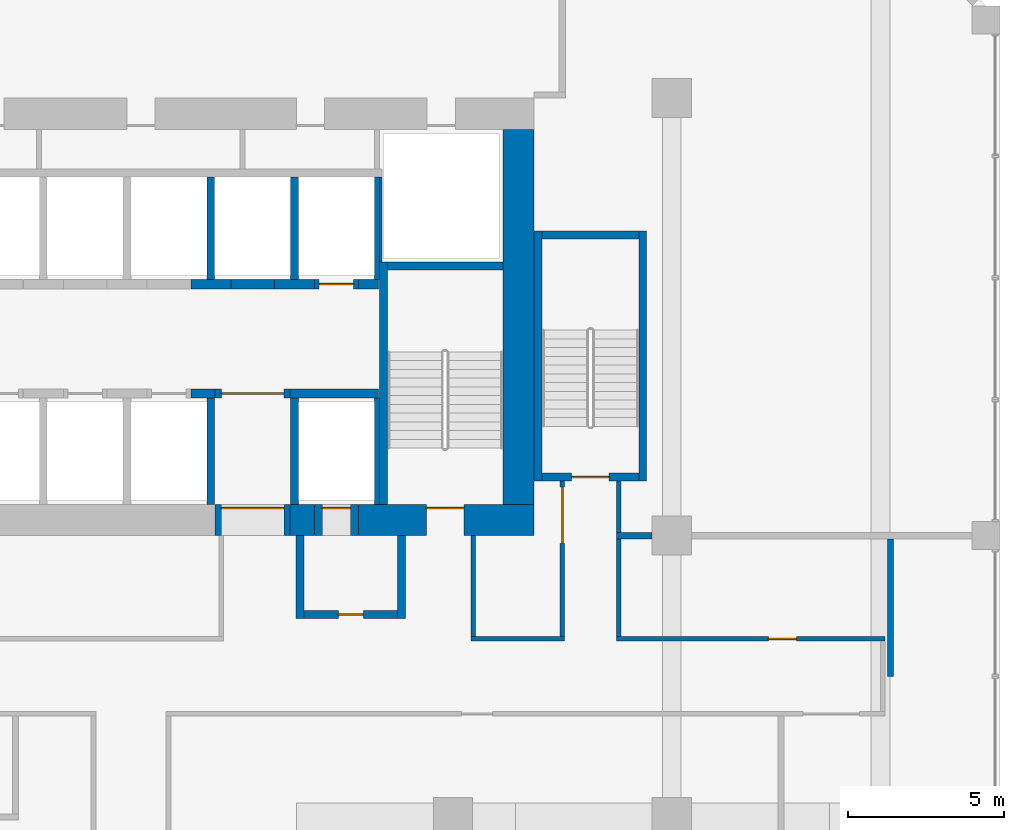
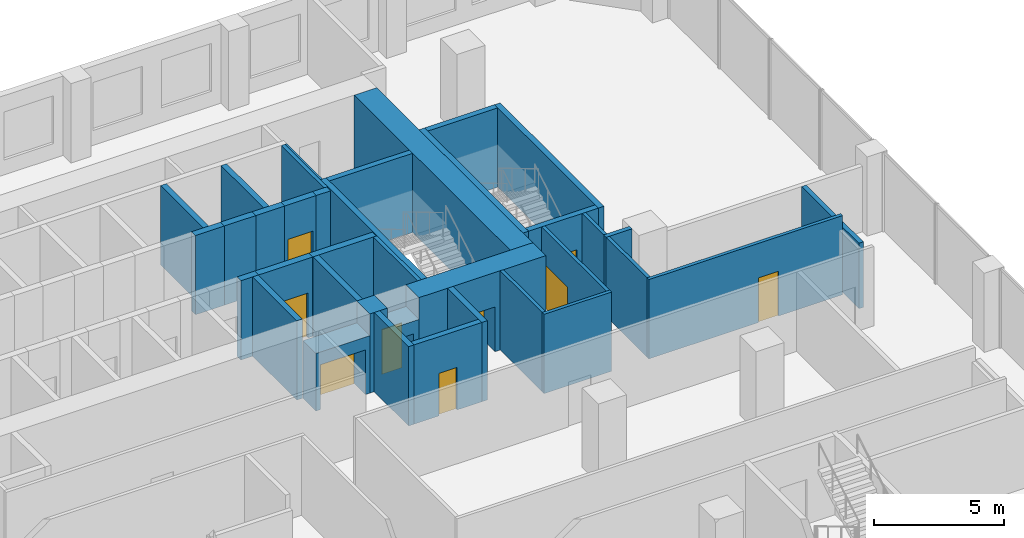
# One storey, part 16 of 20: 37 walls, 9 doors, 9 openings.
"""IFC4 building model written with IfcOpenShell, lengths in metres."""

from ifc_helpers import new_model, si_unit, direction, frame, frame_2d, origin, place, context, subcontext, project, spatial, rectangle, extrude, source, transform, mapped, material, layer, layer_set, type_object, element, fill, save


model = new_model("IFC4")

# Units and contexts
model_context = context("Model", 3, precision=1e-05, world=origin(), true_north=direction((0.0, 1.0)))
body_context = subcontext(model_context, "Body", "Model", "MODEL_VIEW")
ifc_project = project(units=[si_unit("LENGTHUNIT", "METRE"), si_unit("AREAUNIT", "SQUARE_METRE"), si_unit("VOLUMEUNIT", "CUBIC_METRE"), si_unit("PLANEANGLEUNIT", "RADIAN"), si_unit("MASSUNIT", "GRAM", prefix="KILO")], contexts=[model_context])

# Site, building, storey
site_placement = place(None, origin())
site = spatial("IfcSite", under=ifc_project, at=site_placement, CompositionType="ELEMENT")
building_placement = place(site_placement, origin())
building = spatial("IfcBuilding", under=site, at=building_placement, Name="Kilnfold Tower and Market Hall", CompositionType="ELEMENT")
storey_placement = place(building_placement, frame((0.0, 0.0, 63.199951171875)))
storey = spatial("IfcBuildingStorey", under=building, at=storey_placement, Name="L14", CompositionType="ELEMENT", Elevation=63.199951171875)

# Walls
ifc_material_1 = material(Name="Gypsum board on steel studs", Category="steel")
ifc_layer_1 = layer(ifc_material_1, 0.14990234375)
ifc_layer_set_1 = layer_set([ifc_layer_1], Name="Gypsum board on steel studs")
wall_type_1 = type_object("IfcWallType", Name="WALL CORRIDOR 150", PredefinedType="PARTITIONING", material=ifc_layer_set_1)
wall_1_placement = place(storey_placement, frame((16.14990234375, 4.77490234375, 0.0), z_axis=(0.0, 0.0, 1.0), x_axis=(0.0, 1.0, 0.0)))
element("IfcWall", 1, at=wall_1_placement, inside=storey, type_object=wall_type_1, Name="Partition LY12.21", PredefinedType="PARTITIONING", context=body_context, shape_type="SweptSolid", body=[
    extrude(rectangle(XDim=3.22509765625, YDim=0.14990234375, at=frame_2d((1.612548828125, 0.0))), origin(), (0.0, 0.0, 1.0), 3.719970703125),
])
wall_2_placement = place(storey_placement, frame((16.074951171875, 4.699951171875, 0.0), z_axis=(0.0, 0.0, 1.0), x_axis=(1.0, 0.0, 0.0)))
element("IfcWall", 2, at=wall_2_placement, inside=storey, type_object=wall_type_1, Name="Partition LY12.22", PredefinedType="PARTITIONING", context=body_context, shape_type="SweptSolid", body=[
    extrude(rectangle(XDim=3.0, YDim=0.14990234375, at=frame_2d((1.5, 0.0))), origin(), (0.0, 0.0, 1.0), 3.719970703125),
])

# Wall, opening, door
wall_3_placement = place(storey_placement, frame((19.0, 9.75, 0.0), z_axis=(0.0, 0.0, 1.0), x_axis=(0.0, -1.0, 0.0)))
wall_3 = element("IfcWall", 3, at=wall_3_placement, inside=storey, type_object=wall_type_1, Name="Partition LY12.23", PredefinedType="PARTITIONING", context=body_context, shape_type="SweptSolid", body=[
    extrude(rectangle(XDim=4.97509765625, YDim=0.14990234375, at=frame_2d((2.487548828125, 0.0))), origin(), (0.0, 0.0, 1.0), 3.719970703125),
])
opening_1_placement = place(wall_3_placement, frame((0.199951171875, 0.0, 0.0)))
opening_1 = element("IfcOpeningElement", 4, at=opening_1_placement, cuts=wall_3, Name="Opening D5", PredefinedType="OPENING", context=body_context, shape_type="SweptSolid", body=[
    extrude(rectangle(XDim=1.800048828125, YDim=2.10009765625, at=frame_2d((0.89990234375, 1.050048828125))), frame((0.0, 0.0849609375, 0.0), z_axis=(0.0, -1.0, 0.0), x_axis=(1.0, 0.0, 0.0)), (0.0, 0.0, 1.0), 0.169921875),
])
ifc_material_2 = material(Name="Timber veneer door leaf in steel frame", Category="steel")
door_type_1 = type_object("IfcDoorType", Name="DOOR DOUBLE 1800 X2100", OperationType="NOTDEFINED", PredefinedType="DOOR", material=ifc_material_2)
door_1_placement = place(opening_1_placement, origin())
door_1 = element("IfcDoor", 5, at=door_1_placement, inside=storey, type_object=door_type_1, Name="Door D5", OperationType="DOUBLE_DOOR_SINGLE_SWING", OverallHeight=2.10009765625, OverallWidth=1.800048828125, PredefinedType="DOOR", context=body_context, shape_type="SweptSolid", body=[
    extrude(rectangle(XDim=1.800048828125, YDim=2.10009765625, at=frame_2d((0.89990234375, 1.050048828125))), frame((0.0, 0.02490234375, 0.0), z_axis=(0.0, -1.0, 0.0), x_axis=(1.0, 0.0, 0.0)), (0.0, 0.0, 1.0), 0.050048828125),
])
fill(opening_1, door_1)

# Walls
wall_4_placement = place(storey_placement, frame((20.800048828125, 8.090087890625, 0.0), z_axis=(0.0, 0.0, 1.0), x_axis=(0.0, 1.0, 0.0)))
element("IfcWall", 6, at=wall_4_placement, inside=storey, type_object=wall_type_1, Name="Partition LY12.24", PredefinedType="PARTITIONING", context=body_context, shape_type="SweptSolid", body=[
    extrude(rectangle(XDim=1.659912109375, YDim=0.14990234375, at=frame_2d((0.830078125, 0.0))), origin(), (0.0, 0.0, 1.0), 3.719970703125),
])
wall_5_placement = place(storey_placement, frame((20.800048828125, 4.77490234375, 0.0), z_axis=(0.0, 0.0, 1.0), x_axis=(0.0, 1.0, 0.0)))
element("IfcWall", 7, at=wall_5_placement, inside=storey, type_object=wall_type_1, Name="Partition LY12.25", PredefinedType="PARTITIONING", context=body_context, shape_type="SweptSolid", body=[
    extrude(rectangle(XDim=3.135009765625, YDim=0.14990234375, at=frame_2d((1.5673828125, 0.0))), origin(), (0.0, 0.0, 1.0), 3.719970703125),
])

# Wall, opening, door
wall_6_placement = place(storey_placement, frame((20.72509765625, 4.699951171875, 0.0), z_axis=(0.0, 0.0, 1.0), x_axis=(1.0, 0.0, 0.0)))
wall_6 = element("IfcWall", 8, at=wall_6_placement, inside=storey, type_object=wall_type_1, Name="Partition LY12.26", PredefinedType="PARTITIONING", context=body_context, shape_type="SweptSolid", body=[
    extrude(rectangle(XDim=8.599853515625, YDim=0.14990234375, at=frame_2d((4.2998046875, 0.0))), origin(), (0.0, 0.0, 1.0), 3.719970703125),
])
opening_2_placement = place(wall_6_placement, frame((4.864013671875, 0.0, 0.0)))
opening_2 = element("IfcOpeningElement", 9, at=opening_2_placement, cuts=wall_6, Name="Opening D3", PredefinedType="OPENING", context=body_context, shape_type="SweptSolid", body=[
    extrude(rectangle(XDim=0.89990234375, YDim=2.10009765625, at=frame_2d((0.449951171875, 1.050048828125))), frame((0.0, 0.0849609375, 0.0), z_axis=(0.0, -1.0, 0.0), x_axis=(1.0, 0.0, 0.0)), (0.0, 0.0, 1.0), 0.169921875),
])
ifc_material_3 = material(Name="Timber veneer door leaf in steel frame", Category="steel")
door_type_2 = type_object("IfcDoorType", Name="DOOR WC 900 X2100", OperationType="NOTDEFINED", PredefinedType="DOOR", material=ifc_material_3)
door_2_placement = place(opening_2_placement, origin())
door_2 = element("IfcDoor", 10, at=door_2_placement, inside=storey, type_object=door_type_2, Name="Door D3", OperationType="SINGLE_SWING_LEFT", OverallHeight=2.10009765625, OverallWidth=0.89990234375, PredefinedType="DOOR", context=body_context, shape_type="SweptSolid", body=[
    extrude(rectangle(XDim=0.89990234375, YDim=2.10009765625, at=frame_2d((0.449951171875, 1.050048828125))), frame((0.0, 0.02490234375, 0.0), z_axis=(0.0, -1.0, 0.0), x_axis=(1.0, 0.0, 0.0)), (0.0, 0.0, 1.0), 0.050048828125),
])
fill(opening_2, door_2)

# Walls
ifc_material_4 = material(Name="Gypsum board on steel studs", Category="steel")
ifc_layer_2 = layer(ifc_material_4, 0.199951171875)
ifc_layer_set_2 = layer_set([ifc_layer_2], Name="Gypsum board on steel studs")
wall_type_2 = type_object("IfcWallType", Name="WALL PARTY 200", PredefinedType="PARTITIONING", material=ifc_layer_set_2)
wall_7_placement = place(storey_placement, frame((20.72607421875, 8.0, 0.0), z_axis=(0.0, 0.0, 1.0), x_axis=(1.0, 0.0, 0.0)))
element("IfcWall", 11, at=wall_7_placement, inside=storey, type_object=wall_type_2, Name="Partition LY12.56", PredefinedType="PARTITIONING", context=body_context, shape_type="SweptSolid", body=[
    extrude(rectangle(XDim=1.14892578125, YDim=0.199951171875, at=frame_2d((0.574462890625, 0.0))), origin(), (0.0, 0.0, 1.0), 3.719970703125),
])
wall_8_placement = place(storey_placement, frame((29.5, 3.5, 0.0), z_axis=(0.0, 0.0, 1.0), x_axis=(0.0, 1.0, 0.0)))
element("IfcWall", 12, at=wall_8_placement, inside=storey, type_object=wall_type_2, Name="Partition LY12.57", PredefinedType="PARTITIONING", context=body_context, shape_type="SweptSolid", body=[
    extrude(rectangle(XDim=4.39990234375, YDim=0.199951171875, at=frame_2d((2.199951171875, 0.0))), origin(), (0.0, 0.0, 1.0), 3.070068359375),
])
ifc_material_5 = material(Name="Concrete C80", Category="concrete")
ifc_layer_3 = layer(ifc_material_5, 1.0)
ifc_layer_set_3 = layer_set([ifc_layer_3], Name="Concrete C80")
wall_type_3 = type_object("IfcWallType", Name="CORE WALL 1000 C80", PredefinedType="SHEAR", material=ifc_layer_set_3)
shared_shape_1 = source(origin(), body_context, "Body", "SweptSolid", [
    extrude(rectangle(XDim=0.780029296875, YDim=1.0, at=frame_2d((0.39013671875, 0.0))), origin(), (0.0, 0.0, 1.0), 3.719970703125),
])
wall_9_placement = place(storey_placement, frame((10.2900390625, 8.5, 0.0), z_axis=(0.0, 0.0, 1.0), x_axis=(1.0, 0.0, 0.0)))
element("IfcWall", 13, at=wall_9_placement, inside=storey, type_object=wall_type_3, Name="Core outer wall south", PredefinedType="SHEAR", context=body_context, shape_type="MappedRepresentation", body=[
    mapped(shared_shape_1, transform((0.0, 0.0, 0.0))),
])

# Wall, opening, door
shared_shape_2 = source(origin(), body_context, "Body", "SweptSolid", [
    extrude(rectangle(XDim=5.630126953125, YDim=1.0, at=frame_2d((2.81494140625, 0.0))), origin(), (0.0, 0.0, 1.0), 3.719970703125),
])
wall_10_placement = place(storey_placement, frame((12.469970703125, 8.5, 0.0), z_axis=(0.0, 0.0, 1.0), x_axis=(1.0, 0.0, 0.0)))
wall_10 = element("IfcWall", 14, at=wall_10_placement, inside=storey, type_object=wall_type_3, Name="Core outer wall south", PredefinedType="SHEAR", context=body_context, shape_type="MappedRepresentation", body=[
    mapped(shared_shape_2, transform((0.0, 0.0, 0.0))),
])
opening_3_placement = place(wall_10_placement, frame((2.179931640625, 0.0, 0.0)))
opening_3 = element("IfcOpeningElement", 15, at=opening_3_placement, cuts=wall_10, Name="Opening SD1", PredefinedType="OPENING", context=body_context, shape_type="SweptSolid", body=[
    extrude(rectangle(XDim=1.199951171875, YDim=2.10009765625, at=frame_2d((0.60009765625, 1.050048828125))), frame((0.0, 0.510009765625, 0.0), z_axis=(0.0, -1.0, 0.0), x_axis=(1.0, 0.0, 0.0)), (0.0, 0.0, 1.0), 1.02001953125),
])
ifc_material_6 = material(Name="Steel door set with fire-resisting leaf", Category="steel")
door_type_3 = type_object("IfcDoorType", Name="STAIR FLOOR DOOR 1200X2100", OperationType="NOTDEFINED", PredefinedType="DOOR", material=ifc_material_6)
door_3_placement = place(opening_3_placement, origin())
door_3 = element("IfcDoor", 16, at=door_3_placement, inside=storey, type_object=door_type_3, Name="Exit stair ST2 door", OperationType="DOUBLE_DOOR_SINGLE_SWING", OverallHeight=2.10009765625, OverallWidth=1.199951171875, PredefinedType="DOOR", context=body_context, shape_type="SweptSolid", body=[
    extrude(rectangle(XDim=1.199951171875, YDim=2.10009765625, at=frame_2d((0.60009765625, 1.050048828125))), frame((0.0, 0.40478515625, 0.0), z_axis=(0.0, -1.0, 0.0), x_axis=(1.0, 0.0, 0.0)), (0.0, 0.0, 1.0), 0.050048828125),
])
fill(opening_3, door_3)

# Walls
shared_shape_3 = source(origin(), body_context, "Body", "SweptSolid", [
    extrude(rectangle(XDim=12.0, YDim=1.0, at=frame_2d((6.0, 0.0))), origin(), (0.0, 0.0, 1.0), 3.719970703125),
])
wall_11_placement = place(storey_placement, frame((17.60009765625, 9.0, 0.0), z_axis=(0.0, 0.0, 1.0), x_axis=(0.0, 1.0, 0.0)))
element("IfcWall", 17, at=wall_11_placement, inside=storey, type_object=wall_type_3, Name="Core outer wall east", PredefinedType="SHEAR", context=body_context, shape_type="MappedRepresentation", body=[
    mapped(shared_shape_3, transform((0.0, 0.0, 0.0))),
])
ifc_material_7 = material(Name="Concrete C80", Category="concrete")
ifc_layer_4 = layer(ifc_material_7, 0.25)
ifc_layer_set_4 = layer_set([ifc_layer_4], Name="Concrete C80")
wall_type_4 = type_object("IfcWallType", Name="CORE WALL 250 C80", PredefinedType="SHEAR", material=ifc_layer_set_4)
shared_shape_4 = source(origin(), body_context, "Body", "SweptSolid", [
    extrude(rectangle(XDim=7.75, YDim=0.25, at=frame_2d((3.875, 0.0))), origin(), (0.0, 0.0, 1.0), 3.719970703125),
])
wall_12_placement = place(storey_placement, frame((13.27490234375, 9.0, 0.0), z_axis=(0.0, 0.0, 1.0), x_axis=(0.0, 1.0, 0.0)))
element("IfcWall", 18, at=wall_12_placement, inside=storey, type_object=wall_type_4, Name="Stair enclosure ST2", PredefinedType="SHEAR", context=body_context, shape_type="MappedRepresentation", body=[
    mapped(shared_shape_4, transform((0.0, 0.0, 0.0))),
])
shared_shape_5 = source(origin(), body_context, "Body", "SweptSolid", [
    extrude(rectangle(XDim=3.7001953125, YDim=0.25, at=frame_2d((1.85009765625, 0.0))), origin(), (0.0, 0.0, 1.0), 3.719970703125),
])
wall_13_placement = place(storey_placement, frame((13.39990234375, 16.625, 0.0), z_axis=(0.0, 0.0, 1.0), x_axis=(1.0, 0.0, 0.0)))
element("IfcWall", 19, at=wall_13_placement, inside=storey, type_object=wall_type_4, Name="Stair enclosure ST2", PredefinedType="SHEAR", context=body_context, shape_type="MappedRepresentation", body=[
    mapped(shared_shape_5, transform((0.0, 0.0, 0.0))),
])
shared_shape_6 = source(origin(), body_context, "Body", "SweptSolid", [
    extrude(rectangle(XDim=8.0, YDim=0.25, at=frame_2d((4.0, 0.0))), origin(), (0.0, 0.0, 1.0), 3.719970703125),
])
for number, where, z_axis, x_axis, name in (
    (20, (18.22509765625, 9.75, 0.0), (0.0, 0.0, 1.0), (0.0, 1.0, 0.0), "Stair enclosure ST5"),
    (21, (21.574951171875, 9.75, 0.0), (0.0, 0.0, 1.0), (0.0, 1.0, 0.0), "Stair enclosure ST5"),
):
    element("IfcWall", number, at=place(storey_placement, frame(where, z_axis=z_axis, x_axis=x_axis)), inside=storey, type_object=wall_type_4, Name=name, PredefinedType="SHEAR", context=body_context, shape_type="MappedRepresentation", body=[
        mapped(shared_shape_6, transform((0.0, 0.0, 0.0))),
    ])

# Wall, opening, door
shared_shape_7 = source(origin(), body_context, "Body", "SweptSolid", [
    extrude(rectangle(XDim=3.099853515625, YDim=0.25, at=frame_2d((1.5498046875, 0.0))), origin(), (0.0, 0.0, 1.0), 3.719970703125),
])
wall_14_placement = place(storey_placement, frame((18.35009765625, 9.875, 0.0), z_axis=(0.0, 0.0, 1.0), x_axis=(1.0, 0.0, 0.0)))
wall_14 = element("IfcWall", 22, at=wall_14_placement, inside=storey, type_object=wall_type_4, Name="Stair enclosure ST5", PredefinedType="SHEAR", context=body_context, shape_type="MappedRepresentation", body=[
    mapped(shared_shape_7, transform((0.0, 0.0, 0.0))),
])
opening_4_placement = place(wall_14_placement, frame((0.949951171875, 0.0, 0.0)))
opening_4 = element("IfcOpeningElement", 23, at=opening_4_placement, cuts=wall_14, Name="Opening SD1", PredefinedType="OPENING", context=body_context, shape_type="SweptSolid", body=[
    extrude(rectangle(XDim=1.199951171875, YDim=2.10009765625, at=frame_2d((0.60009765625, 1.050048828125))), frame((0.0, 0.135009765625, 0.0), z_axis=(0.0, -1.0, 0.0), x_axis=(1.0, 0.0, 0.0)), (0.0, 0.0, 1.0), 0.27001953125),
])
door_4_placement = place(opening_4_placement, origin())
door_4 = element("IfcDoor", 24, at=door_4_placement, inside=storey, type_object=door_type_3, Name="Exit stair ST5 door", OperationType="DOUBLE_DOOR_SINGLE_SWING", OverallHeight=2.10009765625, OverallWidth=1.199951171875, PredefinedType="DOOR", context=body_context, shape_type="SweptSolid", body=[
    extrude(rectangle(XDim=1.199951171875, YDim=2.10009765625, at=frame_2d((0.60009765625, 1.050048828125))), frame((0.0, 0.02490234375, 0.0), z_axis=(0.0, -1.0, 0.0), x_axis=(1.0, 0.0, 0.0)), (0.0, 0.0, 1.0), 0.050048828125),
])
fill(opening_4, door_4)

# Walls
wall_15_placement = place(storey_placement, frame((18.35009765625, 17.625, 0.0), z_axis=(0.0, 0.0, 1.0), x_axis=(1.0, 0.0, 0.0)))
element("IfcWall", 25, at=wall_15_placement, inside=storey, type_object=wall_type_4, Name="Stair enclosure ST5", PredefinedType="SHEAR", context=body_context, shape_type="MappedRepresentation", body=[
    mapped(shared_shape_7, transform((0.0, 0.0, 0.0))),
])
ifc_material_8 = material(Name="Concrete C80", Category="concrete")
ifc_layer_5 = layer(ifc_material_8, 0.300048828125)
ifc_layer_set_5 = layer_set([ifc_layer_5], Name="Concrete C80")
wall_type_5 = type_object("IfcWallType", Name="CORE WALL 300 C80", PredefinedType="SHEAR", material=ifc_layer_set_5)
shared_shape_8 = source(origin(), body_context, "Body", "SweptSolid", [
    extrude(rectangle(XDim=1.280029296875, YDim=0.300048828125, at=frame_2d((0.64013671875, 0.0))), origin(), (0.0, 0.0, 1.0), 3.719970703125),
])
wall_16_placement = place(storey_placement, frame((9.7900390625, 16.050048828125, 0.0), z_axis=(0.0, 0.0, 1.0), x_axis=(1.0, 0.0, 0.0)))
element("IfcWall", 26, at=wall_16_placement, inside=storey, type_object=wall_type_5, Name="Core spine wall", PredefinedType="SHEAR", context=body_context, shape_type="MappedRepresentation", body=[
    mapped(shared_shape_8, transform((0.0, 0.0, 0.0))),
])
shared_shape_9 = source(origin(), body_context, "Body", "SweptSolid", [
    extrude(rectangle(XDim=0.77978515625, YDim=0.300048828125, at=frame_2d((0.389892578125, 0.0))), origin(), (0.0, 0.0, 1.0), 3.719970703125),
])
wall_17_placement = place(storey_placement, frame((7.110107421875, 12.550048828125, 0.0), z_axis=(0.0, 0.0, 1.0), x_axis=(1.0, 0.0, 0.0)))
element("IfcWall", 27, at=wall_17_placement, inside=storey, type_object=wall_type_5, Name="Core spine wall", PredefinedType="SHEAR", context=body_context, shape_type="MappedRepresentation", body=[
    mapped(shared_shape_9, transform((0.0, 0.0, 0.0))),
])
shared_shape_10 = source(origin(), body_context, "Body", "SweptSolid", [
    extrude(rectangle(XDim=2.820068359375, YDim=0.300048828125, at=frame_2d((1.41015625, 0.0))), origin(), (0.0, 0.0, 1.0), 3.719970703125),
])
wall_18_placement = place(storey_placement, frame((10.2900390625, 12.550048828125, 0.0), z_axis=(0.0, 0.0, 1.0), x_axis=(1.0, 0.0, 0.0)))
element("IfcWall", 28, at=wall_18_placement, inside=storey, type_object=wall_type_5, Name="Core spine wall", PredefinedType="SHEAR", context=body_context, shape_type="MappedRepresentation", body=[
    mapped(shared_shape_10, transform((0.0, 0.0, 0.0))),
])
shared_shape_11 = source(origin(), body_context, "Body", "SweptSolid", [
    extrude(rectangle(XDim=1.27978515625, YDim=0.300048828125, at=frame_2d((0.639892578125, 0.0))), origin(), (0.0, 0.0, 1.0), 3.719970703125),
])
wall_19_placement = place(storey_placement, frame((7.110107421875, 16.050048828125, 0.0), z_axis=(0.0, 0.0, 1.0), x_axis=(1.0, 0.0, 0.0)))
element("IfcWall", 29, at=wall_19_placement, inside=storey, type_object=wall_type_5, Name="Core spine wall", PredefinedType="SHEAR", context=body_context, shape_type="MappedRepresentation", body=[
    mapped(shared_shape_11, transform((0.0, 0.0, 0.0))),
])
shared_shape_12 = source(origin(), body_context, "Body", "SweptSolid", [
    extrude(rectangle(XDim=0.64013671875, YDim=0.300048828125, at=frame_2d((0.320068359375, 0.0))), origin(), (0.0, 0.0, 1.0), 3.719970703125),
])
wall_20_placement = place(storey_placement, frame((12.469970703125, 16.050048828125, 0.0), z_axis=(0.0, 0.0, 1.0), x_axis=(1.0, 0.0, 0.0)))
element("IfcWall", 30, at=wall_20_placement, inside=storey, type_object=wall_type_5, Name="Core spine wall", PredefinedType="SHEAR", context=body_context, shape_type="MappedRepresentation", body=[
    mapped(shared_shape_12, transform((0.0, 0.0, 0.0))),
])

# Wall, opening, door
ifc_material_9 = material(Name="Gypsum shaft wall system")
ifc_layer_6 = layer(ifc_material_9, 1.0)
ifc_layer_set_6 = layer_set([ifc_layer_6], Name="Gypsum shaft wall system")
wall_type_6 = type_object("IfcWallType", Name="LOBBY WALL 1000", PredefinedType="PARTITIONING", material=ifc_layer_set_6)
shared_shape_13 = source(origin(), body_context, "Body", "SweptSolid", [
    extrude(rectangle(XDim=1.39990234375, YDim=1.0, at=frame_2d((0.699951171875, 0.0))), origin(), (0.0, 0.0, 1.0), 2.699951171875),
])
wall_21_placement = place(storey_placement, frame((11.070068359375, 8.5, 0.0), z_axis=(0.0, 0.0, 1.0), x_axis=(1.0, 0.0, 0.0)))
wall_21 = element("IfcWall", 31, at=wall_21_placement, inside=storey, type_object=wall_type_6, Name="Core wall infill", PredefinedType="PARTITIONING", context=body_context, shape_type="MappedRepresentation", body=[
    mapped(shared_shape_13, transform((0.0, 0.0, 0.0))),
])
opening_5_placement = place(wall_21_placement, frame((0.25, 0.0, 0.0)))
opening_5 = element("IfcOpeningElement", 32, at=opening_5_placement, cuts=wall_21, Name="Opening LD1", PredefinedType="OPENING", context=body_context, shape_type="SweptSolid", body=[
    extrude(rectangle(XDim=0.89990234375, YDim=2.10009765625, at=frame_2d((0.449951171875, 1.050048828125))), frame((0.0, 0.510009765625, 0.0), z_axis=(0.0, -1.0, 0.0), x_axis=(1.0, 0.0, 0.0)), (0.0, 0.0, 1.0), 1.02001953125),
])
ifc_material_10 = material(Name="Steel door set with fire-resisting leaf", Category="steel")
door_type_4 = type_object("IfcDoorType", Name="FIREFIGHTING LANDING DOOR 900X2100", OperationType="NOTDEFINED", PredefinedType="DOOR", material=ifc_material_10)
door_5_placement = place(opening_5_placement, origin())
door_5 = element("IfcDoor", 33, at=door_5_placement, inside=storey, type_object=door_type_4, Name="Landing door FF3", OperationType="SLIDING_TO_LEFT", OverallHeight=2.10009765625, OverallWidth=0.89990234375, PredefinedType="DOOR", context=body_context, shape_type="SweptSolid", body=[
    extrude(rectangle(XDim=0.89990234375, YDim=2.10009765625, at=frame_2d((0.449951171875, 1.050048828125))), frame((0.0, 0.40478515625, 0.0), z_axis=(0.0, -1.0, 0.0), x_axis=(1.0, 0.0, 0.0)), (0.0, 0.0, 1.0), 0.050048828125),
])
fill(opening_5, door_5)

shared_shape_14 = source(origin(), body_context, "Body", "SweptSolid", [
    extrude(rectangle(XDim=2.400146484375, YDim=1.0, at=frame_2d((1.2001953125, 0.0))), origin(), (0.0, 0.0, 1.0), 2.699951171875),
])
wall_22_placement = place(storey_placement, frame((7.889892578125, 8.5, 0.0), z_axis=(0.0, 0.0, 1.0), x_axis=(1.0, 0.0, 0.0)))
wall_22 = element("IfcWall", 34, at=wall_22_placement, inside=storey, type_object=wall_type_6, Name="Core wall infill", PredefinedType="PARTITIONING", context=body_context, shape_type="MappedRepresentation", body=[
    mapped(shared_shape_14, transform((0.0, 0.0, 0.0))),
])
opening_6_placement = place(wall_22_placement, frame((0.199951171875, 0.0, 0.0)))
opening_6 = element("IfcOpeningElement", 35, at=opening_6_placement, cuts=wall_22, Name="Opening VD2", PredefinedType="OPENING", context=body_context, shape_type="SweptSolid", body=[
    extrude(rectangle(XDim=2.0, YDim=2.10009765625, at=frame_2d((1.0, 1.050048828125))), frame((0.0, 0.510009765625, 0.0), z_axis=(0.0, -1.0, 0.0), x_axis=(1.0, 0.0, 0.0)), (0.0, 0.0, 1.0), 1.02001953125),
])
ifc_material_11 = material(Name="Steel door set with fire-resisting leaf", Category="steel")
door_type_5 = type_object("IfcDoorType", Name="LIFT LOBBY ENTRANCE DOOR 2000X2100", OperationType="NOTDEFINED", PredefinedType="DOOR", material=ifc_material_11)
door_6_placement = place(opening_6_placement, origin())
door_6 = element("IfcDoor", 36, at=door_6_placement, inside=storey, type_object=door_type_5, Name="Lift lobby entrance door", OperationType="DOUBLE_DOOR_SINGLE_SWING", OverallHeight=2.10009765625, OverallWidth=2.0, PredefinedType="DOOR", context=body_context, shape_type="SweptSolid", body=[
    extrude(rectangle(XDim=2.0, YDim=2.10009765625, at=frame_2d((1.0, 1.050048828125))), frame((0.0, 0.40478515625, 0.0), z_axis=(0.0, -1.0, 0.0), x_axis=(1.0, 0.0, 0.0)), (0.0, 0.0, 1.0), 0.050048828125),
])
fill(opening_6, door_6)

ifc_material_12 = material(Name="Gypsum shaft wall system")
ifc_layer_7 = layer(ifc_material_12, 0.300048828125)
ifc_layer_set_7 = layer_set([ifc_layer_7], Name="Gypsum shaft wall system")
wall_type_7 = type_object("IfcWallType", Name="SHAFT WALL 300", PredefinedType="PARTITIONING", material=ifc_layer_set_7)
shared_shape_15 = source(origin(), body_context, "Body", "SweptSolid", [
    extrude(rectangle(XDim=1.39990234375, YDim=0.300048828125, at=frame_2d((0.699951171875, 0.0))), origin(), (0.0, 0.0, 1.0), 3.719970703125),
])
wall_23_placement = place(storey_placement, frame((11.070068359375, 16.050048828125, 0.0), z_axis=(0.0, 0.0, 1.0), x_axis=(1.0, 0.0, 0.0)))
wall_23 = element("IfcWall", 37, at=wall_23_placement, inside=storey, type_object=wall_type_7, Name="Lift shaft front wall", PredefinedType="PARTITIONING", context=body_context, shape_type="MappedRepresentation", body=[
    mapped(shared_shape_15, transform((0.0, 0.0, 0.0))),
])
opening_7_placement = place(wall_23_placement, frame((0.14990234375, 0.0, 0.0)))
opening_7 = element("IfcOpeningElement", 38, at=opening_7_placement, cuts=wall_23, Name="Opening LD2", PredefinedType="OPENING", context=body_context, shape_type="SweptSolid", body=[
    extrude(rectangle(XDim=1.10009765625, YDim=2.10009765625, at=frame_2d((0.550048828125, 1.050048828125))), frame((0.0, 0.16015625, 0.0), z_axis=(0.0, -1.0, 0.0), x_axis=(1.0, 0.0, 0.0)), (0.0, 0.0, 1.0), 0.320068359375),
])
ifc_material_13 = material(Name="Steel door set with fire-resisting leaf", Category="steel")
door_type_6 = type_object("IfcDoorType", Name="LANDING DOOR 1100X2100", OperationType="NOTDEFINED", PredefinedType="DOOR", material=ifc_material_13)
door_7_placement = place(opening_7_placement, origin())
door_7 = element("IfcDoor", 39, at=door_7_placement, inside=storey, type_object=door_type_6, Name="Landing door LR6", OperationType="DOUBLE_DOOR_SLIDING", OverallHeight=2.10009765625, OverallWidth=1.10009765625, PredefinedType="DOOR", context=body_context, shape_type="SweptSolid", body=[
    extrude(rectangle(XDim=1.10009765625, YDim=2.10009765625, at=frame_2d((0.550048828125, 1.050048828125))), frame((0.0, 0.02490234375, 0.0), z_axis=(0.0, -1.0, 0.0), x_axis=(1.0, 0.0, 0.0)), (0.0, 0.0, 1.0), 0.050048828125),
])
fill(opening_7, door_7)

# Wall
shared_shape_16 = source(origin(), body_context, "Body", "SweptSolid", [
    extrude(rectangle(XDim=1.400146484375, YDim=0.300048828125, at=frame_2d((0.7001953125, 0.0))), origin(), (0.0, 0.0, 1.0), 3.719970703125),
])
wall_24_placement = place(storey_placement, frame((8.389892578125, 16.050048828125, 0.0), z_axis=(0.0, 0.0, 1.0), x_axis=(1.0, 0.0, 0.0)))
element("IfcWall", 40, at=wall_24_placement, inside=storey, type_object=wall_type_7, Name="Lift shaft front wall", PredefinedType="PARTITIONING", context=body_context, shape_type="MappedRepresentation", body=[
    mapped(shared_shape_16, transform((0.0, 0.0, 0.0))),
])

# Wall, opening, door
shared_shape_17 = source(origin(), body_context, "Body", "SweptSolid", [
    extrude(rectangle(XDim=2.400146484375, YDim=0.300048828125, at=frame_2d((1.2001953125, 0.0))), origin(), (0.0, 0.0, 1.0), 3.719970703125),
])
wall_25_placement = place(storey_placement, frame((7.889892578125, 12.550048828125, 0.0), z_axis=(0.0, 0.0, 1.0), x_axis=(1.0, 0.0, 0.0)))
wall_25 = element("IfcWall", 41, at=wall_25_placement, inside=storey, type_object=wall_type_7, Name="Lift shaft front wall", PredefinedType="PARTITIONING", context=body_context, shape_type="MappedRepresentation", body=[
    mapped(shared_shape_17, transform((0.0, 0.0, 0.0))),
])
opening_8_placement = place(wall_25_placement, frame((0.199951171875, 0.0, 0.0)))
opening_8 = element("IfcOpeningElement", 42, at=opening_8_placement, cuts=wall_25, Name="Opening VD2", PredefinedType="OPENING", context=body_context, shape_type="SweptSolid", body=[
    extrude(rectangle(XDim=2.0, YDim=2.10009765625, at=frame_2d((1.0, 1.050048828125))), frame((0.0, 0.16015625, 0.0), z_axis=(0.0, -1.0, 0.0), x_axis=(1.0, 0.0, 0.0)), (0.0, 0.0, 1.0), 0.320068359375),
])
door_8_placement = place(opening_8_placement, origin())
door_8 = element("IfcDoor", 43, at=door_8_placement, inside=storey, type_object=door_type_5, Name="Lift lobby entrance door", OperationType="DOUBLE_DOOR_SINGLE_SWING", OverallHeight=2.10009765625, OverallWidth=2.0, PredefinedType="DOOR", context=body_context, shape_type="SweptSolid", body=[
    extrude(rectangle(XDim=2.0, YDim=2.10009765625, at=frame_2d((1.0, 1.050048828125))), frame((0.0, 0.02490234375, 0.0), z_axis=(0.0, -1.0, 0.0), x_axis=(1.0, 0.0, 0.0)), (0.0, 0.0, 1.0), 0.050048828125),
])
fill(opening_8, door_8)

# Walls
ifc_material_14 = material(Name="Gypsum shaft wall system")
ifc_layer_8 = layer(ifc_material_14, 0.25)
ifc_layer_set_8 = layer_set([ifc_layer_8], Name="Gypsum shaft wall system")
wall_type_8 = type_object("IfcWallType", Name="LOBBY WALL 250", PredefinedType="PARTITIONING", material=ifc_layer_set_8)
shared_shape_18 = source(origin(), body_context, "Body", "SweptSolid", [
    extrude(rectangle(XDim=2.64990234375, YDim=0.25, at=frame_2d((1.324951171875, 0.0))), origin(), (0.0, 0.0, 1.0), 3.719970703125),
])
for number, where, z_axis, x_axis, name in (
    (44, (10.60498046875, 5.35009765625, 0.0), (0.0, 0.0, 1.0), (0.0, 1.0, 0.0), "Firefighting lobby wall"),
    (45, (13.85498046875, 5.35009765625, 0.0), (0.0, 0.0, 1.0), (0.0, 1.0, 0.0), "Firefighting lobby wall"),
):
    element("IfcWall", number, at=place(storey_placement, frame(where, z_axis=z_axis, x_axis=x_axis)), inside=storey, type_object=wall_type_8, Name=name, PredefinedType="PARTITIONING", context=body_context, shape_type="MappedRepresentation", body=[
        mapped(shared_shape_18, transform((0.0, 0.0, 0.0))),
    ])

# Wall, opening, door
shared_shape_19 = source(origin(), body_context, "Body", "SweptSolid", [
    extrude(rectangle(XDim=3.0, YDim=0.25, at=frame_2d((1.5, 0.0))), origin(), (0.0, 0.0, 1.0), 3.719970703125),
])
wall_26_placement = place(storey_placement, frame((10.72998046875, 5.47509765625, 0.0), z_axis=(0.0, 0.0, 1.0), x_axis=(1.0, 0.0, 0.0)))
wall_26 = element("IfcWall", 46, at=wall_26_placement, inside=storey, type_object=wall_type_8, Name="Firefighting lobby wall", PredefinedType="PARTITIONING", context=body_context, shape_type="MappedRepresentation", body=[
    mapped(shared_shape_19, transform((0.0, 0.0, 0.0))),
])
opening_9_placement = place(wall_26_placement, frame((1.10009765625, 0.0, 0.0)))
opening_9 = element("IfcOpeningElement", 47, at=opening_9_placement, cuts=wall_26, Name="Opening VD1", PredefinedType="OPENING", context=body_context, shape_type="SweptSolid", body=[
    extrude(rectangle(XDim=0.800048828125, YDim=2.0, at=frame_2d((0.39990234375, 1.0))), frame((0.0, 0.135009765625, 0.0), z_axis=(0.0, -1.0, 0.0), x_axis=(1.0, 0.0, 0.0)), (0.0, 0.0, 1.0), 0.27001953125),
])
ifc_material_15 = material(Name="Steel door set with fire-resisting leaf", Category="steel")
door_type_7 = type_object("IfcDoorType", Name="FIREFIGHTING LOBBY DOOR 800X2000", OperationType="NOTDEFINED", PredefinedType="DOOR", material=ifc_material_15)
door_9_placement = place(opening_9_placement, origin())
door_9 = element("IfcDoor", 48, at=door_9_placement, inside=storey, type_object=door_type_7, Name="Firefighting lobby door", OperationType="SINGLE_SWING_RIGHT", OverallHeight=2.0, OverallWidth=0.800048828125, PredefinedType="DOOR", context=body_context, shape_type="SweptSolid", body=[
    extrude(rectangle(XDim=0.800048828125, YDim=2.0, at=frame_2d((0.39990234375, 1.0))), frame((0.0, 0.02490234375, 0.0), z_axis=(0.0, -1.0, 0.0), x_axis=(1.0, 0.0, 0.0)), (0.0, 0.0, 1.0), 0.050048828125),
])
fill(opening_9, door_9)

# Walls
ifc_material_16 = material(Name="Gypsum shaft wall system")
ifc_layer_9 = layer(ifc_material_16, 0.1650390625)
ifc_layer_set_9 = layer_set([ifc_layer_9], Name="Gypsum shaft wall system")
wall_type_9 = type_object("IfcWallType", Name="SHAFT WALL 165", PredefinedType="PARTITIONING", material=ifc_layer_set_9)
shared_shape_20 = source(origin(), body_context, "Body", "SweptSolid", [
    extrude(rectangle(XDim=3.275146484375, YDim=0.1650390625, at=frame_2d((1.6376953125, 0.0))), origin(), (0.0, 0.0, 1.0), 3.719970703125),
])
wall_27_placement = place(storey_placement, frame((13.0673828125, 16.199951171875, 0.0), z_axis=(0.0, 0.0, 1.0), x_axis=(0.0, 1.0, 0.0)))
element("IfcWall", 49, at=wall_27_placement, inside=storey, type_object=wall_type_9, Name="Lift shaft wall", PredefinedType="PARTITIONING", context=body_context, shape_type="MappedRepresentation", body=[
    mapped(shared_shape_20, transform((0.0, 0.0, 0.0))),
])
ifc_material_17 = material(Name="Gypsum shaft wall system")
ifc_layer_10 = layer(ifc_material_17, 0.25)
ifc_layer_set_10 = layer_set([ifc_layer_10], Name="Gypsum shaft wall system")
wall_type_10 = type_object("IfcWallType", Name="SHAFT WALL 250", PredefinedType="PARTITIONING", material=ifc_layer_set_10)
shared_shape_21 = source(origin(), body_context, "Body", "SweptSolid", [
    extrude(rectangle(XDim=3.275146484375, YDim=0.25, at=frame_2d((1.6376953125, 0.0))), origin(), (0.0, 0.0, 1.0), 3.719970703125),
])
for number, where, z_axis, x_axis, name in (
    (50, (10.429931640625, 16.199951171875, 0.0), (0.0, 0.0, 1.0), (0.0, 1.0, 0.0), "Lift shaft wall"),
    (51, (7.75, 16.199951171875, 0.0), (0.0, 0.0, 1.0), (0.0, 1.0, 0.0), "Lift shaft wall"),
):
    element("IfcWall", number, at=place(storey_placement, frame(where, z_axis=z_axis, x_axis=x_axis)), inside=storey, type_object=wall_type_10, Name=name, PredefinedType="PARTITIONING", context=body_context, shape_type="MappedRepresentation", body=[
        mapped(shared_shape_21, transform((0.0, 0.0, 0.0))),
    ])
ifc_material_18 = material(Name="Gypsum shaft wall system")
ifc_layer_11 = layer(ifc_material_18, 0.0849609375)
ifc_layer_set_11 = layer_set([ifc_layer_11], Name="Gypsum shaft wall system")
wall_type_11 = type_object("IfcWallType", Name="SHAFT WALL 85", PredefinedType="PARTITIONING", material=ifc_layer_set_11)
shared_shape_22 = source(origin(), body_context, "Body", "SweptSolid", [
    extrude(rectangle(XDim=2.72509765625, YDim=0.0849609375, at=frame_2d((1.362548828125, 0.0))), origin(), (0.0, 0.0, 1.0), 3.719970703125),
])
wall_28_placement = place(storey_placement, frame((13.1923828125, 16.75, 0.0), z_axis=(0.0, 0.0, 1.0), x_axis=(0.0, 1.0, 0.0)))
element("IfcWall", 52, at=wall_28_placement, inside=storey, type_object=wall_type_11, Name="Lift shaft wall", PredefinedType="PARTITIONING", context=body_context, shape_type="MappedRepresentation", body=[
    mapped(shared_shape_22, transform((0.0, 0.0, 0.0))),
])
shared_shape_23 = source(origin(), body_context, "Body", "SweptSolid", [
    extrude(rectangle(XDim=3.39990234375, YDim=0.25, at=frame_2d((1.699951171875, 0.0))), origin(), (0.0, 0.0, 1.0), 3.719970703125),
])
for number, where, z_axis, x_axis, name in (
    (53, (10.429931640625, 9.0, 0.0), (0.0, 0.0, 1.0), (0.0, 1.0, 0.0), "Lift shaft wall"),
    (54, (7.75, 9.0, 0.0), (0.0, 0.0, 1.0), (0.0, 1.0, 0.0), "Lift shaft wall"),
):
    element("IfcWall", number, at=place(storey_placement, frame(where, z_axis=z_axis, x_axis=x_axis)), inside=storey, type_object=wall_type_10, Name=name, PredefinedType="PARTITIONING", context=body_context, shape_type="MappedRepresentation", body=[
        mapped(shared_shape_23, transform((0.0, 0.0, 0.0))),
    ])
shared_shape_24 = source(origin(), body_context, "Body", "SweptSolid", [
    extrude(rectangle(XDim=3.39990234375, YDim=0.1650390625, at=frame_2d((1.699951171875, 0.0))), origin(), (0.0, 0.0, 1.0), 3.719970703125),
])
wall_29_placement = place(storey_placement, frame((13.0673828125, 9.0, 0.0), z_axis=(0.0, 0.0, 1.0), x_axis=(0.0, 1.0, 0.0)))
element("IfcWall", 55, at=wall_29_placement, inside=storey, type_object=wall_type_9, Name="Lift shaft wall", PredefinedType="PARTITIONING", context=body_context, shape_type="MappedRepresentation", body=[
    mapped(shared_shape_24, transform((0.0, 0.0, 0.0))),
])

save(model, "model.ifc")
